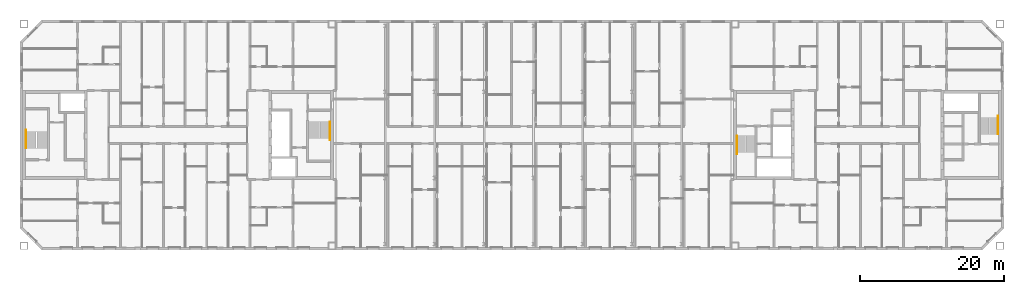
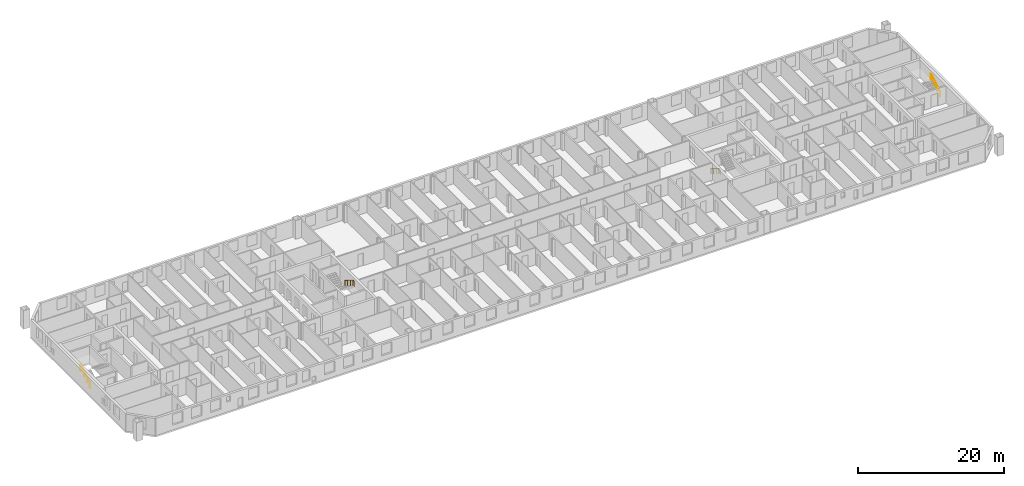
# One storey, part 19 of 19: 4 railings.
"""IFC4 building model written with IfcOpenShell, lengths in metres."""

from ifc_helpers import new_model, si_unit, direction, frame, origin, origin_2d, place, context, subcontext, project, spatial, circle, extrude, material, type_object, element, save


model = new_model("IFC4")

# Units and contexts
model_context = context("Model", 3, precision=1e-05, world=origin(), true_north=direction((0.0, 1.0)))
body_context = subcontext(model_context, "Body", "Model", "MODEL_VIEW")
ifc_project = project(units=[si_unit("LENGTHUNIT", "METRE"), si_unit("AREAUNIT", "SQUARE_METRE"), si_unit("VOLUMEUNIT", "CUBIC_METRE"), si_unit("PLANEANGLEUNIT", "RADIAN"), si_unit("MASSUNIT", "GRAM", prefix="KILO")], contexts=[model_context])

# Site, building, storey
site_placement = place(None, origin())
site = spatial("IfcSite", under=ifc_project, at=site_placement, CompositionType="ELEMENT")
building_placement = place(site_placement, origin())
building = spatial("IfcBuilding", under=site, at=building_placement, Name="Tuart Gate Housing", CompositionType="ELEMENT")
storey_placement = place(building_placement, frame((0.0, 0.0, 224.5)))
storey = spatial("IfcBuildingStorey", under=building, at=storey_placement, Name="L63", CompositionType="ELEMENT", Elevation=224.5)

# Railings
ifc_material = material(Name="Stainless steel", Category="steel")
railing_type = type_object("IfcRailingType", Name="Stair handrail 900", PredefinedType="HANDRAIL", material=ifc_material)
railing_1_placement = place(storey_placement, frame((75.179931640625, 71.824951171875, 0.172119140625)))
element("IfcRailing", 1, at=railing_1_placement, inside=storey, type_object=railing_type, Name="Stair handrail SA1.1", PredefinedType="HANDRAIL", context=body_context, shape_type="SweptSolid", body=[
    extrude(circle(Radius=0.02392578125, at=origin_2d()), frame((0.0, 0.0, 0.8759765625), z_axis=(0.0, -0.851747552033, 0.523952390591), x_axis=(1.0, 0.0, 0.0)), (0.0, 0.0, 1.0), 2.6298828125),
    extrude(circle(Radius=0.02392578125, at=origin_2d()), frame((0.0, -2.239990234375, 2.25390625), z_axis=(0.0, -1.0, 0.0), x_axis=(1.0, 0.0, 0.0)), (0.0, 0.0, 1.0), 0.300048828125),
    extrude(circle(Radius=0.02099609375, at=origin_2d()), origin(), (0.0, 0.0, 1.0), 0.851806640625),
    extrude(circle(Radius=0.02099609375, at=origin_2d()), frame((0.0, -0.74658203125, 0.459228515625)), (0.0, 0.0, 1.0), 0.851806640625),
    extrude(circle(Radius=0.02099609375, at=origin_2d()), frame((0.0, -1.493408203125, 0.918701171875)), (0.0, 0.0, 1.0), 0.851806640625),
    extrude(circle(Radius=0.02099609375, at=origin_2d()), frame((0.0, -2.239990234375, 1.3779296875)), (0.0, 0.0, 1.0), 0.851806640625),
    extrude(circle(Radius=0.02099609375, at=origin_2d()), frame((0.0, -2.5400390625, 1.3779296875)), (0.0, 0.0, 1.0), 0.851806640625),
])
railing_2_placement = place(storey_placement, frame((32.820068359375, 68.175048828125, 0.172119140625)))
element("IfcRailing", 2, at=railing_2_placement, inside=storey, type_object=railing_type, Name="Stair handrail SA2.1", PredefinedType="HANDRAIL", context=body_context, shape_type="SweptSolid", body=[
    extrude(circle(Radius=0.02392578125, at=origin_2d()), frame((0.0, 0.0, 0.8759765625), z_axis=(0.0, 0.851747552033, 0.523952390591), x_axis=(-1.0, 0.0, 0.0)), (0.0, 0.0, 1.0), 2.6298828125),
    extrude(circle(Radius=0.02392578125, at=origin_2d()), frame((0.0, 2.239990234375, 2.25390625), z_axis=(0.0, 1.0, 0.0), x_axis=(-1.0, 0.0, 0.0)), (0.0, 0.0, 1.0), 0.300048828125),
    extrude(circle(Radius=0.02099609375, at=origin_2d()), origin(), (0.0, 0.0, 1.0), 0.851806640625),
    extrude(circle(Radius=0.02099609375, at=origin_2d()), frame((0.0, 0.74658203125, 0.459228515625)), (0.0, 0.0, 1.0), 0.851806640625),
    extrude(circle(Radius=0.02099609375, at=origin_2d()), frame((0.0, 1.493408203125, 0.918701171875)), (0.0, 0.0, 1.0), 0.851806640625),
    extrude(circle(Radius=0.02099609375, at=origin_2d()), frame((0.0, 2.239990234375, 1.3779296875)), (0.0, 0.0, 1.0), 0.851806640625),
    extrude(circle(Radius=0.02099609375, at=origin_2d()), frame((0.0, 2.5400390625, 1.3779296875)), (0.0, 0.0, 1.0), 0.851806640625),
])
railing_3_placement = place(storey_placement, frame((131.820068359375, 69.875, 0.172119140625)))
element("IfcRailing", 3, at=railing_3_placement, inside=storey, type_object=railing_type, Name="Stair handrail SB1.1", PredefinedType="HANDRAIL", context=body_context, shape_type="SweptSolid", body=[
    extrude(circle(Radius=0.02392578125, at=origin_2d()), frame((0.0, 0.0, 0.8759765625), z_axis=(0.0, -0.851747552033, 0.523952390591), x_axis=(1.0, 0.0, 0.0)), (0.0, 0.0, 1.0), 2.6298828125),
    extrude(circle(Radius=0.02392578125, at=origin_2d()), frame((0.0, -2.239990234375, 2.25390625), z_axis=(0.0, -1.0, 0.0), x_axis=(1.0, 0.0, 0.0)), (0.0, 0.0, 1.0), 0.300048828125),
    extrude(circle(Radius=0.02099609375, at=origin_2d()), origin(), (0.0, 0.0, 1.0), 0.851806640625),
    extrude(circle(Radius=0.02099609375, at=origin_2d()), frame((0.0, -0.74658203125, 0.459228515625)), (0.0, 0.0, 1.0), 0.851806640625),
    extrude(circle(Radius=0.02099609375, at=origin_2d()), frame((0.0, -1.493408203125, 0.918701171875)), (0.0, 0.0, 1.0), 0.851806640625),
    extrude(circle(Radius=0.02099609375, at=origin_2d()), frame((0.0, -2.239990234375, 1.3779296875)), (0.0, 0.0, 1.0), 0.851806640625),
    extrude(circle(Radius=0.02099609375, at=origin_2d()), frame((0.0, -2.5400390625, 1.3779296875)), (0.0, 0.0, 1.0), 0.851806640625),
])
railing_4_placement = place(storey_placement, frame((168.179931640625, 70.125, 0.172119140625)))
element("IfcRailing", 4, at=railing_4_placement, inside=storey, type_object=railing_type, Name="Stair handrail SB2.1", PredefinedType="HANDRAIL", context=body_context, shape_type="SweptSolid", body=[
    extrude(circle(Radius=0.02392578125, at=origin_2d()), frame((0.0, 0.0, 0.8759765625), z_axis=(0.0, 0.851747552033, 0.523952390591), x_axis=(-1.0, 0.0, 0.0)), (0.0, 0.0, 1.0), 2.6298828125),
    extrude(circle(Radius=0.02392578125, at=origin_2d()), frame((0.0, 2.239990234375, 2.25390625), z_axis=(0.0, 1.0, 0.0), x_axis=(-1.0, 0.0, 0.0)), (0.0, 0.0, 1.0), 0.300048828125),
    extrude(circle(Radius=0.02099609375, at=origin_2d()), origin(), (0.0, 0.0, 1.0), 0.851806640625),
    extrude(circle(Radius=0.02099609375, at=origin_2d()), frame((0.0, 0.74658203125, 0.459228515625)), (0.0, 0.0, 1.0), 0.851806640625),
    extrude(circle(Radius=0.02099609375, at=origin_2d()), frame((0.0, 1.493408203125, 0.918701171875)), (0.0, 0.0, 1.0), 0.851806640625),
    extrude(circle(Radius=0.02099609375, at=origin_2d()), frame((0.0, 2.239990234375, 1.3779296875)), (0.0, 0.0, 1.0), 0.851806640625),
    extrude(circle(Radius=0.02099609375, at=origin_2d()), frame((0.0, 2.5400390625, 1.3779296875)), (0.0, 0.0, 1.0), 0.851806640625),
])

save(model, "model.ifc")
